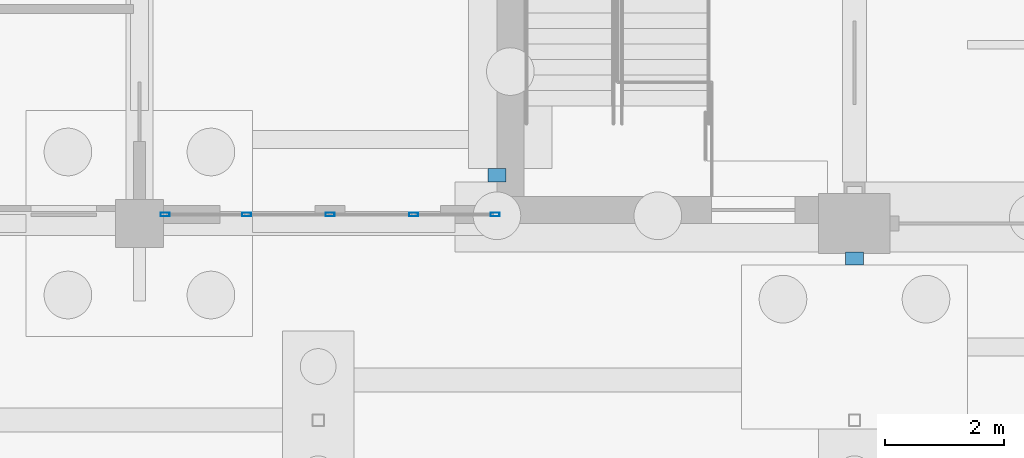
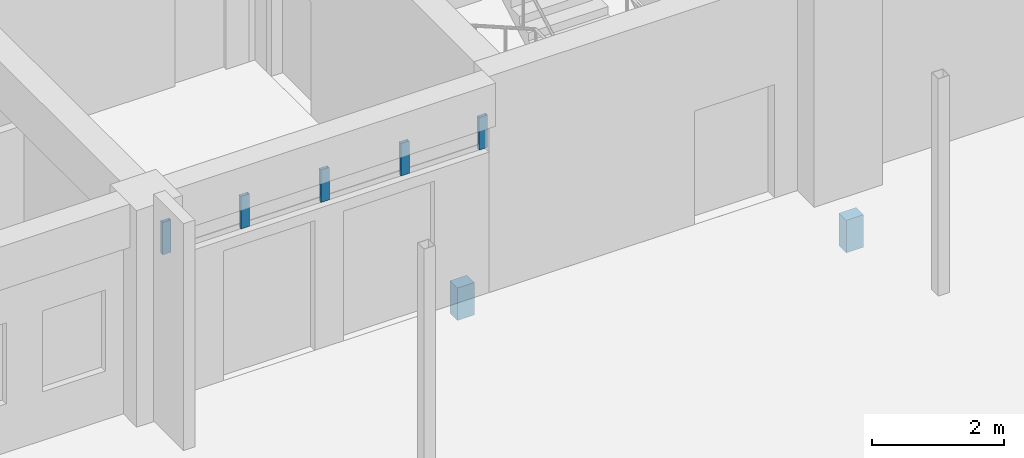
# One storey, part 15 of 37: 5 members, 2 beams, 1 element without a shape of its own.
"""IFC4 building model written with IfcOpenShell, lengths in metres."""

from ifc_helpers import new_model, si_unit, direction, frame, origin, origin_2d, place, context, subcontext, project, spatial, rectangle, hollow_rectangle, extrude, material, material_profile, profile_set, type_object, element, aggregate, save


model = new_model("IFC4")

# Units and contexts
model_context = context("Model", 3, precision=1e-05, world=origin(), true_north=direction((0.0, 1.0)))
body_context = subcontext(model_context, "Body", "Model", "MODEL_VIEW")
ifc_project = project(units=[si_unit("LENGTHUNIT", "METRE"), si_unit("AREAUNIT", "SQUARE_METRE"), si_unit("VOLUMEUNIT", "CUBIC_METRE"), si_unit("PLANEANGLEUNIT", "RADIAN"), si_unit("MASSUNIT", "GRAM", prefix="KILO")], contexts=[model_context])

# Site, building, storey
site_placement = place(None, origin())
site = spatial("IfcSite", under=ifc_project, at=site_placement, CompositionType="ELEMENT")
building_placement = place(site_placement, origin())
building = spatial("IfcBuilding", under=site, at=building_placement, Name="Laocheng Heights Fire and Rescue Headquarters", CompositionType="ELEMENT")
storey_placement = place(building_placement, origin())
storey = spatial("IfcBuildingStorey", under=building, at=storey_placement, Name="L00", CompositionType="ELEMENT", Elevation=0.0)

# Curtain wall, members
ifc_material_1 = material(Name="Aluminium unitised curtain wall, low-e double glazing", Category="aluminium")
curtain_wall_type = type_object("IfcCurtainWallType", Name="CW 5600 x 600 FLANK W UNIT", PredefinedType="NOTDEFINED", material=ifc_material_1)
curtain_wall_placement = place(storey_placement, origin())
curtain_wall = element("IfcCurtainWall", 1, at=curtain_wall_placement, inside=storey, type_object=curtain_wall_type, Name="Flank_W entrance glazing L00", PredefinedType="NOTDEFINED")
ifc_material_2 = material(Name="Aluminium 6063-T5 extrusion", Category="aluminium")
ifc_material_profile_1 = material_profile(ifc_material_2, hollow_rectangle(XDim=0.06005859375, YDim=0.14990234375, WallThickness=0.0029296875, at=origin_2d()), Name="AL MULLION 150x60x3")
ifc_profile_set_1 = profile_set([ifc_material_profile_1], Name="Aluminium 6063-T5 extrusion")
member_type = type_object("IfcMemberType", Name="AL CURTAIN WALL MULLION 150x60x3", PredefinedType="MULLION", material=ifc_profile_set_1)
member_1_placement = place(storey_placement, frame((6.429931640625, 0.14990234375, 2.60009765625), z_axis=(0.0, 0.0, 1.0), x_axis=(0.0, 1.0, 0.0)))
member_1 = element("IfcMember", 2, at=member_1_placement, type_object=member_type, Name="X1-E mullion 1", PredefinedType="MULLION", context=body_context, shape_type="SweptSolid", body=[
    extrude(hollow_rectangle(XDim=0.06005859375, YDim=0.14990234375, WallThickness=0.0029296875, at=origin_2d()), origin(), (0.0, 0.0, 1.0), 0.599853515625),
])
member_2_placement = place(storey_placement, frame((7.800048828125, 0.14990234375, 2.60009765625), z_axis=(0.0, 0.0, 1.0), x_axis=(0.0, 1.0, 0.0)))
member_2 = element("IfcMember", 3, at=member_2_placement, type_object=member_type, Name="X1-E mullion 2", PredefinedType="MULLION", context=body_context, shape_type="SweptSolid", body=[
    extrude(hollow_rectangle(XDim=0.06005859375, YDim=0.14990234375, WallThickness=0.0029296875, at=origin_2d()), origin(), (0.0, 0.0, 1.0), 0.599853515625),
])
member_3_placement = place(storey_placement, frame((9.199951171875, 0.14990234375, 2.60009765625), z_axis=(0.0, 0.0, 1.0), x_axis=(0.0, 1.0, 0.0)))
member_3 = element("IfcMember", 4, at=member_3_placement, type_object=member_type, Name="X1-E mullion 3", PredefinedType="MULLION", context=body_context, shape_type="SweptSolid", body=[
    extrude(hollow_rectangle(XDim=0.06005859375, YDim=0.14990234375, WallThickness=0.0029296875, at=origin_2d()), origin(), (0.0, 0.0, 1.0), 0.599853515625),
])
member_4_placement = place(storey_placement, frame((10.60009765625, 0.14990234375, 2.60009765625), z_axis=(0.0, 0.0, 1.0), x_axis=(0.0, 1.0, 0.0)))
member_4 = element("IfcMember", 5, at=member_4_placement, type_object=member_type, Name="X1-E mullion 4", PredefinedType="MULLION", context=body_context, shape_type="SweptSolid", body=[
    extrude(hollow_rectangle(XDim=0.06005859375, YDim=0.14990234375, WallThickness=0.0029296875, at=origin_2d()), origin(), (0.0, 0.0, 1.0), 0.599853515625),
])
member_5_placement = place(storey_placement, frame((11.969970703125, 0.14990234375, 2.60009765625), z_axis=(0.0, 0.0, 1.0), x_axis=(0.0, 1.0, 0.0)))
member_5 = element("IfcMember", 6, at=member_5_placement, type_object=member_type, Name="X1-E mullion 5", PredefinedType="MULLION", context=body_context, shape_type="SweptSolid", body=[
    extrude(hollow_rectangle(XDim=0.06005859375, YDim=0.14990234375, WallThickness=0.0029296875, at=origin_2d()), origin(), (0.0, 0.0, 1.0), 0.599853515625),
])
aggregate(curtain_wall, [member_1, member_2, member_3, member_4, member_5])

# Beams
ifc_material_3 = material(Name="Concrete C40", Category="concrete")
ifc_material_profile_2 = material_profile(ifc_material_3, rectangle(XDim=0.300048828125, YDim=0.60009765625, at=origin_2d()), Name="RC GROUND BEAM 300x600")
ifc_profile_set_2 = profile_set([ifc_material_profile_2], Name="Concrete C40")
beam_type = type_object("IfcBeamType", Name="RC GROUND BEAM 300x600", PredefinedType="BEAM", material=ifc_profile_set_2)
beam_1_placement = place(storey_placement, frame((18.0, -0.699951171875, -0.589111328125), z_axis=(0.0, 1.0, 0.0), x_axis=(-1.0, 0.0, 0.0)))
element("IfcBeam", 7, at=beam_1_placement, inside=storey, type_object=beam_type, Name="Ground beam GB240", PredefinedType="BEAM", context=body_context, shape_type="SweptSolid", body=[
    extrude(rectangle(XDim=0.300048828125, YDim=0.60009765625, at=origin_2d()), origin(), (0.0, 0.0, 1.0), 0.224853515625),
])
beam_2_placement = place(storey_placement, frame((12.0, 0.699951171875, -0.589111328125), z_axis=(0.0, 1.0, 0.0), x_axis=(-1.0, 0.0, 0.0)))
element("IfcBeam", 8, at=beam_2_placement, inside=storey, type_object=beam_type, Name="Ground beam GB249", PredefinedType="BEAM", context=body_context, shape_type="SweptSolid", body=[
    extrude(rectangle(XDim=0.300048828125, YDim=0.60009765625, at=origin_2d()), origin(), (0.0, 0.0, 1.0), 0.22509765625),
])

save(model, "model.ifc")
